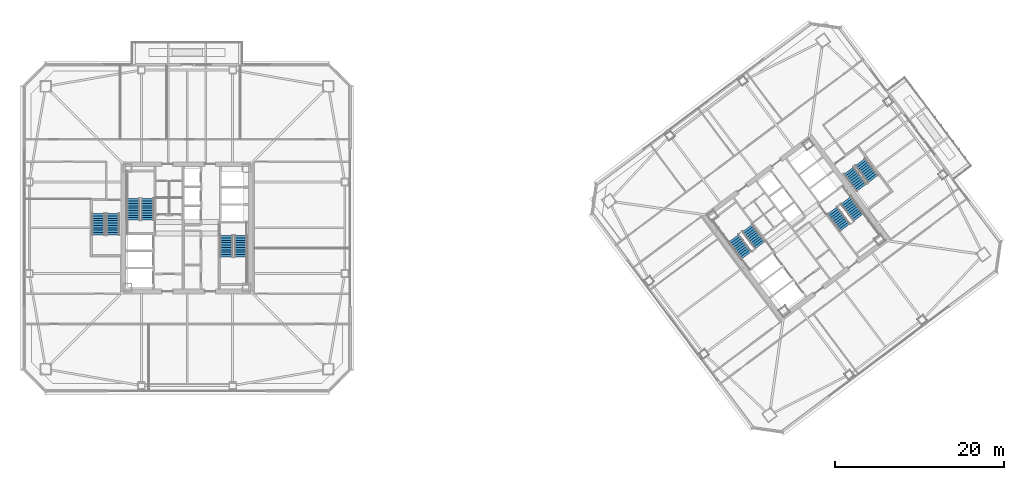
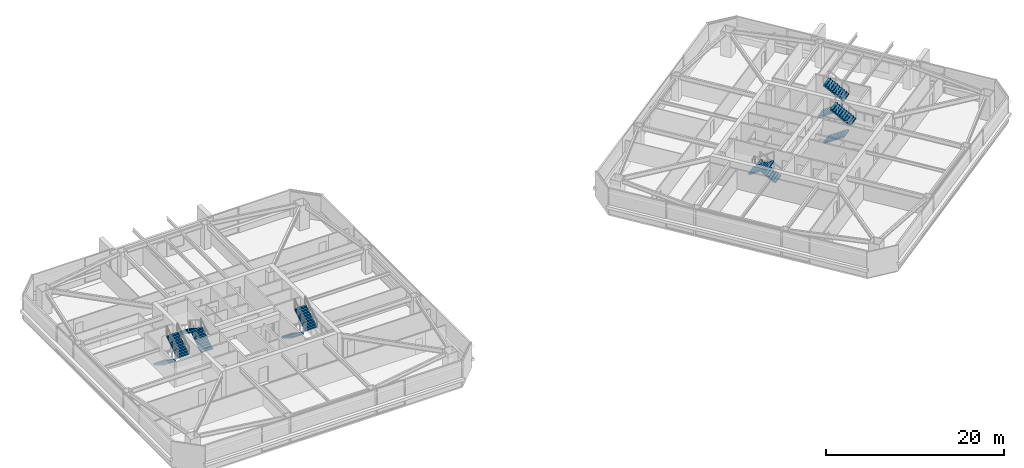
# One storey, part 34 of 41: 12 stair flights, 6 elements without a shape of their own.
"""IFC4 building model written with IfcOpenShell, lengths in metres."""

from ifc_helpers import new_model, si_unit, direction, frame, origin, place, context, subcontext, project, spatial, polyline, outline, extrude, material, type_object, element, aggregate, save


model = new_model("IFC4")

# Units and contexts
model_context = context("Model", 3, precision=1e-05, world=origin(), true_north=direction((0.0, 1.0)))
body_context = subcontext(model_context, "Body", "Model", "MODEL_VIEW")
ifc_project = project(units=[si_unit("LENGTHUNIT", "METRE"), si_unit("AREAUNIT", "SQUARE_METRE"), si_unit("VOLUMEUNIT", "CUBIC_METRE"), si_unit("PLANEANGLEUNIT", "RADIAN"), si_unit("MASSUNIT", "GRAM", prefix="KILO")], contexts=[model_context])

# Site, building, storey
site_placement = place(None, origin())
site = spatial("IfcSite", under=ifc_project, at=site_placement, CompositionType="ELEMENT")
building_placement = place(site_placement, origin())
building = spatial("IfcBuilding", under=site, at=building_placement, Name="Tashvorn Skyway Center", CompositionType="ELEMENT")
storey_placement = place(building_placement, frame((0.0, 0.0, 146.35009765625)))
storey = spatial("IfcBuildingStorey", under=building, at=storey_placement, Name="L39", CompositionType="ELEMENT", Elevation=146.35009765625)

# Stair, stair flights
ifc_material = material(Name="Concrete C40/50", Category="concrete")
stair_type = type_object("IfcStairType", Name="STAIR-CORE-1500", PredefinedType="HALF_TURN_STAIR", material=ifc_material)
stair_1_placement = place(storey_placement, origin())
stair_1 = element("IfcStair", 1, at=stair_1_placement, inside=storey, type_object=stair_type, Name="L39 Tower 1 Exit Stair 1", PredefinedType="HALF_TURN_STAIR")
stair_flight_type = type_object("IfcStairFlightType", Name="SFLIGHT-1500", PredefinedType="STRAIGHT", material=ifc_material)
stair_flight_1_placement = place(storey_placement, frame((37.35009765625, 32.919921875, 0.0), z_axis=(0.0, 0.0, 1.0), x_axis=(0.0, 1.0, 0.0)))
stair_flight_1 = element("IfcStairFlight", 2, at=stair_flight_1_placement, type_object=stair_flight_type, Name="ST-T1-1 flight 1", NumberOfRisers=10, NumberOfTreads=9, PredefinedType="STRAIGHT", RiserHeight=0.1775, TreadLength=0.28, context=body_context, shape_type="SweptSolid", body=[
    extrude(outline(polyline([(0.0, 0.0), (0.0, 0.177490234375), (0.280029296875, 0.177490234375), (0.280029296875, 0.35498046875), (0.56005859375, 0.35498046875), (0.56005859375, 0.532470703125), (0.840087890625, 0.532470703125), (0.840087890625, 0.7099609375), (1.1201171875, 0.7099609375), (1.1201171875, 0.887451171875), (1.39990234375, 0.887451171875), (1.39990234375, 1.06494140625), (1.679931640625, 1.06494140625), (1.679931640625, 1.242431640625), (1.9599609375, 1.242431640625), (1.9599609375, 1.419921875), (2.239990234375, 1.419921875), (2.239990234375, 1.597412109375), (2.52001953125, 1.597412109375), (2.52001953125, 1.77490234375), (2.52001953125, 1.419921875), (0.280029296875, 0.0), (0.0, 0.0)])), frame((0.0, 0.75, 0.0), z_axis=(0.0, -1.0, 0.0), x_axis=(1.0, 0.0, 0.0)), (0.0, 0.0, 1.0), 1.5),
])
stair_flight_2_placement = place(storey_placement, frame((35.64990234375, 35.43994140625, 1.77490234375), z_axis=(0.0, 0.0, 1.0), x_axis=(0.0, -1.0, 0.0)))
stair_flight_2 = element("IfcStairFlight", 3, at=stair_flight_2_placement, type_object=stair_flight_type, Name="ST-T1-1 flight 2", NumberOfRisers=10, NumberOfTreads=9, PredefinedType="STRAIGHT", RiserHeight=0.1775, TreadLength=0.28, context=body_context, shape_type="SweptSolid", body=[
    extrude(outline(polyline([(0.0, 0.0), (0.0, 0.177490234375), (0.280029296875, 0.177490234375), (0.280029296875, 0.35498046875), (0.56005859375, 0.35498046875), (0.56005859375, 0.532470703125), (0.840087890625, 0.532470703125), (0.840087890625, 0.7099609375), (1.1201171875, 0.7099609375), (1.1201171875, 0.887451171875), (1.39990234375, 0.887451171875), (1.39990234375, 1.06494140625), (1.679931640625, 1.06494140625), (1.679931640625, 1.242431640625), (1.9599609375, 1.242431640625), (1.9599609375, 1.419921875), (2.239990234375, 1.419921875), (2.239990234375, 1.597412109375), (2.52001953125, 1.597412109375), (2.52001953125, 1.77490234375), (2.52001953125, 1.419921875), (0.280029296875, 0.0), (0.0, 0.0)])), frame((0.0, 0.75, 0.0), z_axis=(0.0, -1.0, 0.0), x_axis=(1.0, 0.0, 0.0)), (0.0, 0.0, 1.0), 1.5),
])
aggregate(stair_1, [stair_flight_1, stair_flight_2])

stair_2_placement = place(storey_placement, origin())
stair_2 = element("IfcStair", 4, at=stair_2_placement, inside=storey, type_object=stair_type, Name="L39 Tower 1 Exit Stair 2", PredefinedType="HALF_TURN_STAIR")
stair_flight_3_placement = place(storey_placement, frame((46.64990234375, 31.080078125, 0.0), z_axis=(0.0, 0.0, 1.0), x_axis=(0.0, -1.0, 0.0)))
stair_flight_3 = element("IfcStairFlight", 5, at=stair_flight_3_placement, type_object=stair_flight_type, Name="ST-T1-2 flight 1", NumberOfRisers=10, NumberOfTreads=9, PredefinedType="STRAIGHT", RiserHeight=0.1775, TreadLength=0.28, context=body_context, shape_type="SweptSolid", body=[
    extrude(outline(polyline([(0.0, 0.0), (0.0, 0.177490234375), (0.280029296875, 0.177490234375), (0.280029296875, 0.35498046875), (0.56005859375, 0.35498046875), (0.56005859375, 0.532470703125), (0.840087890625, 0.532470703125), (0.840087890625, 0.7099609375), (1.1201171875, 0.7099609375), (1.1201171875, 0.887451171875), (1.39990234375, 0.887451171875), (1.39990234375, 1.06494140625), (1.679931640625, 1.06494140625), (1.679931640625, 1.242431640625), (1.9599609375, 1.242431640625), (1.9599609375, 1.419921875), (2.239990234375, 1.419921875), (2.239990234375, 1.597412109375), (2.52001953125, 1.597412109375), (2.52001953125, 1.77490234375), (2.52001953125, 1.419921875), (0.280029296875, 0.0), (0.0, 0.0)])), frame((0.0, 0.75, 0.0), z_axis=(0.0, -1.0, 0.0), x_axis=(1.0, 0.0, 0.0)), (0.0, 0.0, 1.0), 1.5),
])
stair_flight_4_placement = place(storey_placement, frame((48.35009765625, 28.56005859375, 1.77490234375), z_axis=(0.0, 0.0, 1.0), x_axis=(0.0, 1.0, 0.0)))
stair_flight_4 = element("IfcStairFlight", 6, at=stair_flight_4_placement, type_object=stair_flight_type, Name="ST-T1-2 flight 2", NumberOfRisers=10, NumberOfTreads=9, PredefinedType="STRAIGHT", RiserHeight=0.1775, TreadLength=0.28, context=body_context, shape_type="SweptSolid", body=[
    extrude(outline(polyline([(0.0, 0.0), (0.0, 0.177490234375), (0.280029296875, 0.177490234375), (0.280029296875, 0.35498046875), (0.56005859375, 0.35498046875), (0.56005859375, 0.532470703125), (0.840087890625, 0.532470703125), (0.840087890625, 0.7099609375), (1.1201171875, 0.7099609375), (1.1201171875, 0.887451171875), (1.39990234375, 0.887451171875), (1.39990234375, 1.06494140625), (1.679931640625, 1.06494140625), (1.679931640625, 1.242431640625), (1.9599609375, 1.242431640625), (1.9599609375, 1.419921875), (2.239990234375, 1.419921875), (2.239990234375, 1.597412109375), (2.52001953125, 1.597412109375), (2.52001953125, 1.77490234375), (2.52001953125, 1.419921875), (0.280029296875, 0.0), (0.0, 0.0)])), frame((0.0, 0.75, 0.0), z_axis=(0.0, -1.0, 0.0), x_axis=(1.0, 0.0, 0.0)), (0.0, 0.0, 1.0), 1.5),
])
aggregate(stair_2, [stair_flight_3, stair_flight_4])

stair_3_placement = place(storey_placement, origin())
stair_3 = element("IfcStair", 7, at=stair_3_placement, inside=storey, type_object=stair_type, Name="L39 Tower 2 Exit Stair 1", PredefinedType="HALF_TURN_STAIR")
stair_flight_5_placement = place(storey_placement, frame((109.72802734375, 29.946044921875, 0.0), z_axis=(0.0, 0.0, 1.0), x_axis=(-0.600000004945, 0.799999996291, 0.0)))
stair_flight_5 = element("IfcStairFlight", 8, at=stair_flight_5_placement, type_object=stair_flight_type, Name="ST-T2-1 flight 1", NumberOfRisers=10, NumberOfTreads=9, PredefinedType="STRAIGHT", RiserHeight=0.1775, TreadLength=0.28, context=body_context, shape_type="SweptSolid", body=[
    extrude(outline(polyline([(0.0, 0.0), (0.0, 0.177490234375), (0.280029296875, 0.177490234375), (0.280029296875, 0.35498046875), (0.56005859375, 0.35498046875), (0.56005859375, 0.532470703125), (0.840087890625, 0.532470703125), (0.840087890625, 0.7099609375), (1.1201171875, 0.7099609375), (1.1201171875, 0.887451171875), (1.39990234375, 0.887451171875), (1.39990234375, 1.06494140625), (1.679931640625, 1.06494140625), (1.679931640625, 1.242431640625), (1.9599609375, 1.242431640625), (1.9599609375, 1.419921875), (2.239990234375, 1.419921875), (2.239990234375, 1.597412109375), (2.52001953125, 1.597412109375), (2.52001953125, 1.77490234375), (2.52001953125, 1.419921875), (0.280029296875, 0.0), (0.0, 0.0)])), frame((0.0, 0.75, 0.0), z_axis=(0.0, -1.0, 0.0), x_axis=(1.0, 0.0, 0.0)), (0.0, 0.0, 1.0), 1.5),
])
stair_flight_6_placement = place(storey_placement, frame((106.632080078125, 30.77392578125, 1.77490234375), z_axis=(0.0, 0.0, 1.0), x_axis=(0.600000004945, -0.799999996291, 0.0)))
stair_flight_6 = element("IfcStairFlight", 9, at=stair_flight_6_placement, type_object=stair_flight_type, Name="ST-T2-1 flight 2", NumberOfRisers=10, NumberOfTreads=9, PredefinedType="STRAIGHT", RiserHeight=0.1775, TreadLength=0.28, context=body_context, shape_type="SweptSolid", body=[
    extrude(outline(polyline([(0.0, 0.0), (0.0, 0.177490234375), (0.280029296875, 0.177490234375), (0.280029296875, 0.35498046875), (0.56005859375, 0.35498046875), (0.56005859375, 0.532470703125), (0.840087890625, 0.532470703125), (0.840087890625, 0.7099609375), (1.1201171875, 0.7099609375), (1.1201171875, 0.887451171875), (1.39990234375, 0.887451171875), (1.39990234375, 1.06494140625), (1.679931640625, 1.06494140625), (1.679931640625, 1.242431640625), (1.9599609375, 1.242431640625), (1.9599609375, 1.419921875), (2.239990234375, 1.419921875), (2.239990234375, 1.597412109375), (2.52001953125, 1.597412109375), (2.52001953125, 1.77490234375), (2.52001953125, 1.419921875), (0.280029296875, 0.0), (0.0, 0.0)])), frame((0.0, 0.75, 0.0), z_axis=(0.0, -1.0, 0.0), x_axis=(1.0, 0.0, 0.0)), (0.0, 0.0, 1.0), 1.5),
])
aggregate(stair_3, [stair_flight_5, stair_flight_6])

stair_4_placement = place(storey_placement, origin())
stair_4 = element("IfcStair", 10, at=stair_4_placement, inside=storey, type_object=stair_type, Name="L39 Tower 2 Exit Stair 2", PredefinedType="HALF_TURN_STAIR")
stair_flight_7_placement = place(storey_placement, frame((118.27197265625, 34.053955078125, 0.0), z_axis=(0.0, 0.0, 1.0), x_axis=(0.600000004945, -0.799999996291, 0.0)))
stair_flight_7 = element("IfcStairFlight", 11, at=stair_flight_7_placement, type_object=stair_flight_type, Name="ST-T2-2 flight 1", NumberOfRisers=10, NumberOfTreads=9, PredefinedType="STRAIGHT", RiserHeight=0.1775, TreadLength=0.28, context=body_context, shape_type="SweptSolid", body=[
    extrude(outline(polyline([(0.0, 0.0), (0.0, 0.177490234375), (0.280029296875, 0.177490234375), (0.280029296875, 0.35498046875), (0.56005859375, 0.35498046875), (0.56005859375, 0.532470703125), (0.840087890625, 0.532470703125), (0.840087890625, 0.7099609375), (1.1201171875, 0.7099609375), (1.1201171875, 0.887451171875), (1.39990234375, 0.887451171875), (1.39990234375, 1.06494140625), (1.679931640625, 1.06494140625), (1.679931640625, 1.242431640625), (1.9599609375, 1.242431640625), (1.9599609375, 1.419921875), (2.239990234375, 1.419921875), (2.239990234375, 1.597412109375), (2.52001953125, 1.597412109375), (2.52001953125, 1.77490234375), (2.52001953125, 1.419921875), (0.280029296875, 0.0), (0.0, 0.0)])), frame((0.0, 0.75, 0.0), z_axis=(0.0, -1.0, 0.0), x_axis=(1.0, 0.0, 0.0)), (0.0, 0.0, 1.0), 1.5),
])
stair_flight_8_placement = place(storey_placement, frame((121.367919921875, 33.22607421875, 1.77490234375), z_axis=(0.0, 0.0, 1.0), x_axis=(-0.600000004945, 0.799999996291, 0.0)))
stair_flight_8 = element("IfcStairFlight", 12, at=stair_flight_8_placement, type_object=stair_flight_type, Name="ST-T2-2 flight 2", NumberOfRisers=10, NumberOfTreads=9, PredefinedType="STRAIGHT", RiserHeight=0.1775, TreadLength=0.28, context=body_context, shape_type="SweptSolid", body=[
    extrude(outline(polyline([(0.0, 0.0), (0.0, 0.177490234375), (0.280029296875, 0.177490234375), (0.280029296875, 0.35498046875), (0.56005859375, 0.35498046875), (0.56005859375, 0.532470703125), (0.840087890625, 0.532470703125), (0.840087890625, 0.7099609375), (1.1201171875, 0.7099609375), (1.1201171875, 0.887451171875), (1.39990234375, 0.887451171875), (1.39990234375, 1.06494140625), (1.679931640625, 1.06494140625), (1.679931640625, 1.242431640625), (1.9599609375, 1.242431640625), (1.9599609375, 1.419921875), (2.239990234375, 1.419921875), (2.239990234375, 1.597412109375), (2.52001953125, 1.597412109375), (2.52001953125, 1.77490234375), (2.52001953125, 1.419921875), (0.280029296875, 0.0), (0.0, 0.0)])), frame((0.0, 0.75, 0.0), z_axis=(0.0, -1.0, 0.0), x_axis=(1.0, 0.0, 0.0)), (0.0, 0.0, 1.0), 1.5),
])
aggregate(stair_4, [stair_flight_7, stair_flight_8])

stair_5_placement = place(storey_placement, origin())
stair_5 = element("IfcStair", 13, at=stair_5_placement, inside=storey, type_object=stair_type, Name="L39 Tower 1 Exit Stair 3", PredefinedType="HALF_TURN_STAIR")
stair_flight_9_placement = place(storey_placement, frame((31.550048828125, 33.679931640625, 0.0), z_axis=(0.0, 0.0, 1.0), x_axis=(0.0, -1.0, 0.0)))
stair_flight_9 = element("IfcStairFlight", 14, at=stair_flight_9_placement, type_object=stair_flight_type, Name="ST-T1-3 flight 1", NumberOfRisers=10, NumberOfTreads=9, PredefinedType="STRAIGHT", RiserHeight=0.1775, TreadLength=0.28, context=body_context, shape_type="SweptSolid", body=[
    extrude(outline(polyline([(0.0, 0.0), (0.0, 0.177490234375), (0.280029296875, 0.177490234375), (0.280029296875, 0.35498046875), (0.56005859375, 0.35498046875), (0.56005859375, 0.532470703125), (0.840087890625, 0.532470703125), (0.840087890625, 0.7099609375), (1.1201171875, 0.7099609375), (1.1201171875, 0.887451171875), (1.39990234375, 0.887451171875), (1.39990234375, 1.06494140625), (1.679931640625, 1.06494140625), (1.679931640625, 1.242431640625), (1.9599609375, 1.242431640625), (1.9599609375, 1.419921875), (2.239990234375, 1.419921875), (2.239990234375, 1.597412109375), (2.52001953125, 1.597412109375), (2.52001953125, 1.77490234375), (2.52001953125, 1.419921875), (0.280029296875, 0.0), (0.0, 0.0)])), frame((0.0, 0.75, 0.0), z_axis=(0.0, -1.0, 0.0), x_axis=(1.0, 0.0, 0.0)), (0.0, 0.0, 1.0), 1.5),
])
stair_flight_10_placement = place(storey_placement, frame((33.25, 31.159912109375, 1.77490234375), z_axis=(0.0, 0.0, 1.0), x_axis=(0.0, 1.0, 0.0)))
stair_flight_10 = element("IfcStairFlight", 15, at=stair_flight_10_placement, type_object=stair_flight_type, Name="ST-T1-3 flight 2", NumberOfRisers=10, NumberOfTreads=9, PredefinedType="STRAIGHT", RiserHeight=0.1775, TreadLength=0.28, context=body_context, shape_type="SweptSolid", body=[
    extrude(outline(polyline([(0.0, 0.0), (0.0, 0.177490234375), (0.280029296875, 0.177490234375), (0.280029296875, 0.35498046875), (0.56005859375, 0.35498046875), (0.56005859375, 0.532470703125), (0.840087890625, 0.532470703125), (0.840087890625, 0.7099609375), (1.1201171875, 0.7099609375), (1.1201171875, 0.887451171875), (1.39990234375, 0.887451171875), (1.39990234375, 1.06494140625), (1.679931640625, 1.06494140625), (1.679931640625, 1.242431640625), (1.9599609375, 1.242431640625), (1.9599609375, 1.419921875), (2.239990234375, 1.419921875), (2.239990234375, 1.597412109375), (2.52001953125, 1.597412109375), (2.52001953125, 1.77490234375), (2.52001953125, 1.419921875), (0.280029296875, 0.0), (0.0, 0.0)])), frame((0.0, 0.75, 0.0), z_axis=(0.0, -1.0, 0.0), x_axis=(1.0, 0.0, 0.0)), (0.0, 0.0, 1.0), 1.5),
])
aggregate(stair_5, [stair_flight_9, stair_flight_10])

stair_6_placement = place(storey_placement, origin())
stair_6 = element("IfcStair", 16, at=stair_6_placement, inside=storey, type_object=stair_type, Name="L39 Tower 2 Exit Stair 3", PredefinedType="HALF_TURN_STAIR")
stair_flight_11_placement = place(storey_placement, frame((120.216064453125, 38.761962890625, 0.0), z_axis=(0.0, 0.0, 1.0), x_axis=(0.600000004945, -0.799999996291, 0.0)))
stair_flight_11 = element("IfcStairFlight", 17, at=stair_flight_11_placement, type_object=stair_flight_type, Name="ST-T2-3 flight 1", NumberOfRisers=10, NumberOfTreads=9, PredefinedType="STRAIGHT", RiserHeight=0.1775, TreadLength=0.28, context=body_context, shape_type="SweptSolid", body=[
    extrude(outline(polyline([(0.0, 0.0), (0.0, 0.177490234375), (0.280029296875, 0.177490234375), (0.280029296875, 0.35498046875), (0.56005859375, 0.35498046875), (0.56005859375, 0.532470703125), (0.840087890625, 0.532470703125), (0.840087890625, 0.7099609375), (1.1201171875, 0.7099609375), (1.1201171875, 0.887451171875), (1.39990234375, 0.887451171875), (1.39990234375, 1.06494140625), (1.679931640625, 1.06494140625), (1.679931640625, 1.242431640625), (1.9599609375, 1.242431640625), (1.9599609375, 1.419921875), (2.239990234375, 1.419921875), (2.239990234375, 1.597412109375), (2.52001953125, 1.597412109375), (2.52001953125, 1.77490234375), (2.52001953125, 1.419921875), (0.280029296875, 0.0), (0.0, 0.0)])), frame((0.0, 0.75, 0.0), z_axis=(0.0, -1.0, 0.0), x_axis=(1.0, 0.0, 0.0)), (0.0, 0.0, 1.0), 1.5),
])
stair_flight_12_placement = place(storey_placement, frame((123.087890625, 37.76611328125, 1.77490234375), z_axis=(0.0, 0.0, 1.0), x_axis=(-0.600000004945, 0.799999996291, 0.0)))
stair_flight_12 = element("IfcStairFlight", 18, at=stair_flight_12_placement, type_object=stair_flight_type, Name="ST-T2-3 flight 2", NumberOfRisers=10, NumberOfTreads=9, PredefinedType="STRAIGHT", RiserHeight=0.1775, TreadLength=0.28, context=body_context, shape_type="SweptSolid", body=[
    extrude(outline(polyline([(0.0, 0.0), (0.0, 0.177490234375), (0.280029296875, 0.177490234375), (0.280029296875, 0.35498046875), (0.56005859375, 0.35498046875), (0.56005859375, 0.532470703125), (0.840087890625, 0.532470703125), (0.840087890625, 0.7099609375), (1.1201171875, 0.7099609375), (1.1201171875, 0.887451171875), (1.39990234375, 0.887451171875), (1.39990234375, 1.06494140625), (1.679931640625, 1.06494140625), (1.679931640625, 1.242431640625), (1.9599609375, 1.242431640625), (1.9599609375, 1.419921875), (2.239990234375, 1.419921875), (2.239990234375, 1.597412109375), (2.52001953125, 1.597412109375), (2.52001953125, 1.77490234375), (2.52001953125, 1.419921875), (0.280029296875, 0.0), (0.0, 0.0)])), frame((0.0, 0.75, 0.0), z_axis=(0.0, -1.0, 0.0), x_axis=(1.0, 0.0, 0.0)), (0.0, 0.0, 1.0), 1.5),
])
aggregate(stair_6, [stair_flight_11, stair_flight_12])

save(model, "model.ifc")
